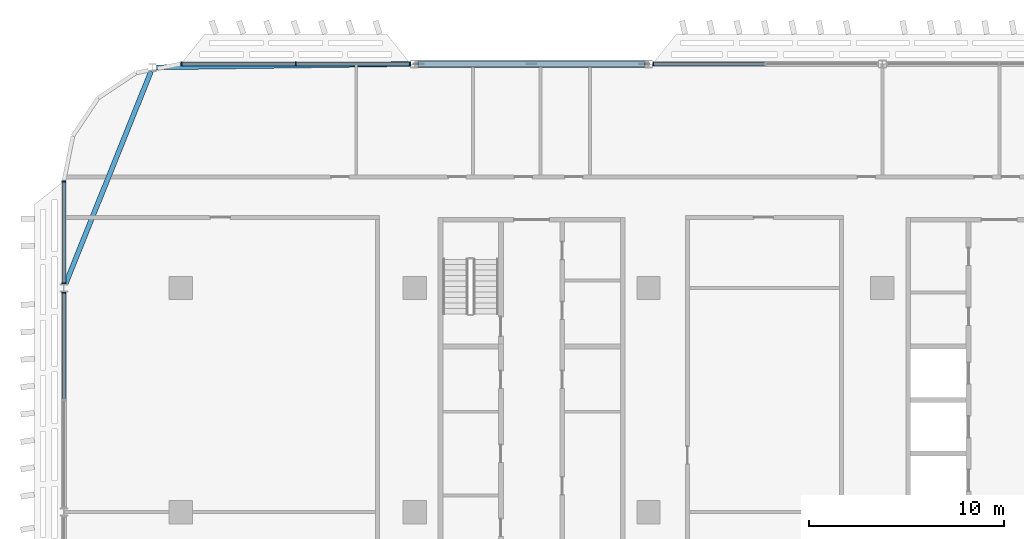
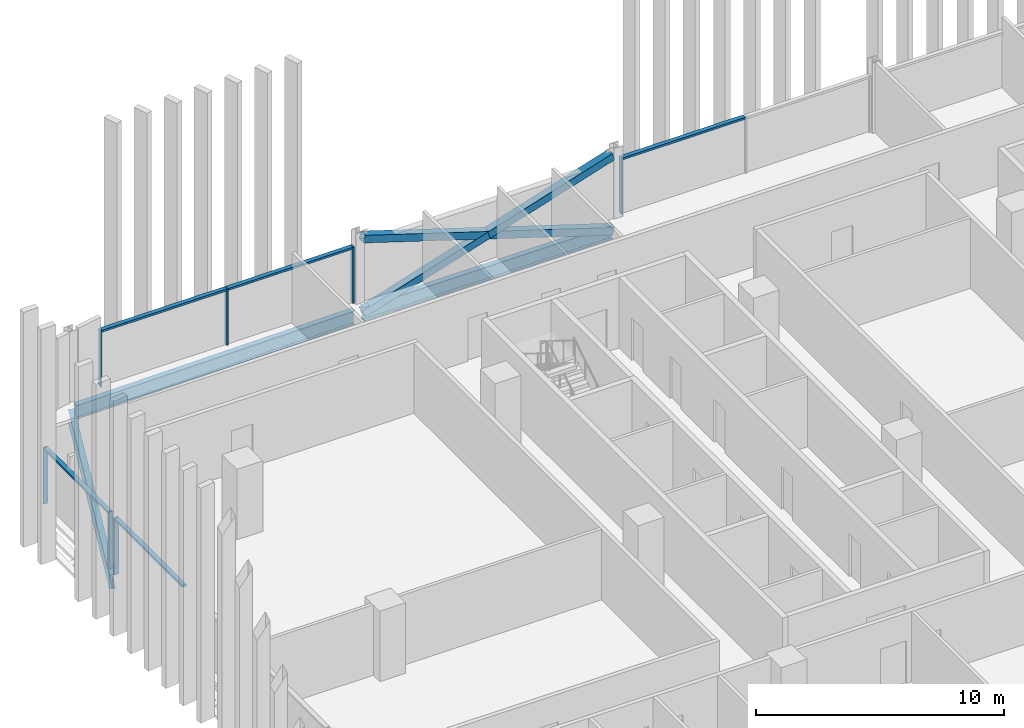
# One storey, part 6 of 28: 15 members, 3 beams, 4 elements without a shape of their own.
"""IFC4 building model written with IfcOpenShell, lengths in metres."""

import ifcopenshell
import ifcopenshell.guid

model = None  # the IFC model being written
_history = None  # IfcOwnerHistory: only IFC2X3 demands one
_inside = {}  # id of a spatial element -> (the spatial element, [elements in it])
_under = {}  # id of a project, library or spatial element -> (it, [spatial elements below it])
_declared = {}  # id of a project -> (the project, [libraries it declares])
_typed = {}  # id of a type object -> (the type object, [elements of that type])
_made_of = {}  # id of a material, layer set ... -> (it, [elements and type objects made of it])


def new_model(schema):
    """Start an empty IFC model of exactly this schema.

    Asked for "IFC4X3", IfcOpenShell would pick the latest addendum, in which some entities
    have other attributes; the version numbers below select the first issue.
    IFC2X3 requires an IfcOwnerHistory on every rooted entity: one is made here for all.
    """
    global model, _history
    if schema == "IFC4X3":
        model = ifcopenshell.file(schema_version=(4, 3, 0, 0))
    else:
        model = ifcopenshell.file(schema=schema)
    _inside.clear()
    _under.clear()
    _declared.clear()
    _typed.clear()
    _made_of.clear()
    _history = None
    if model.schema == "IFC2X3":
        org = make("IfcOrganization", Name="unknown")
        user = make(
            "IfcPersonAndOrganization",
            ThePerson=make("IfcPerson", FamilyName="unknown"),
            TheOrganization=org,
        )
        app = make(
            "IfcApplication",
            ApplicationDeveloper=org,
            Version="unknown",
            ApplicationFullName="unknown",
            ApplicationIdentifier="unknown",
        )
        _history = make(
            "IfcOwnerHistory",
            OwningUser=user,
            OwningApplication=app,
            ChangeAction="ADDED",
            CreationDate=0,
        )
    return model


def make(cls, **values):
    """One entity of the class cls with the attributes given. An attribute that is None is left unset."""
    return model.create_entity(
        cls, **{name: value for name, value in values.items() if value is not None}
    )


def rooted(cls, **values):
    """An entity with a GlobalId (a new one), such as an element, a storey or a relation."""
    return make(cls, GlobalId=ifcopenshell.guid.new(), OwnerHistory=_history, **values)


def si_unit(unit_type, name, prefix=None):
    """IfcSIUnit, for example si_unit("LENGTHUNIT", "METRE", prefix="MILLI")."""
    return make("IfcSIUnit", UnitType=unit_type, Prefix=prefix, Name=name)


def assignment(units):
    """IfcUnitAssignment: the units of a project."""
    return None if units is None else make("IfcUnitAssignment", Units=units)


def point(xyz):
    """IfcCartesianPoint."""
    return None if xyz is None else make("IfcCartesianPoint", Coordinates=xyz)


def direction(xyz):
    """IfcDirection."""
    return None if xyz is None else make("IfcDirection", DirectionRatios=xyz)


def frame(location, z_axis=None, x_axis=None):
    """IfcAxis2Placement3D, a coordinate frame: its origin and axes. An axis left out is left unset."""
    return make(
        "IfcAxis2Placement3D",
        Location=point(location),
        Axis=direction(z_axis),
        RefDirection=direction(x_axis),
    )


def frame_2d(location, x_axis=None):
    """IfcAxis2Placement2D, a coordinate frame in the plane: its origin and x axis."""
    return make(
        "IfcAxis2Placement2D", Location=point(location), RefDirection=direction(x_axis)
    )


def origin():
    """The frame at (0, 0, 0) with its axes left unset."""
    return frame((0.0, 0.0, 0.0))


def origin_2d():
    """The frame at (0, 0) in the plane with its x axis left unset."""
    return frame_2d((0.0, 0.0))


def place(relative_to, where):
    """IfcLocalPlacement: puts the frame where relative to a parent placement (None: the world)."""
    return make(
        "IfcLocalPlacement", PlacementRelTo=relative_to, RelativePlacement=where
    )


def context(
    kind, dimensions, precision=None, world=None, true_north=None, identifier=None
):
    """IfcGeometricRepresentationContext, for example the 3D "Model" context."""
    return make(
        "IfcGeometricRepresentationContext",
        ContextIdentifier=identifier,
        ContextType=kind,
        CoordinateSpaceDimension=dimensions,
        Precision=precision,
        WorldCoordinateSystem=world,
        TrueNorth=true_north,
    )


def subcontext(parent, identifier, kind, view, scale=None):
    """IfcGeometricRepresentationSubContext, for example "Body" below "Model"."""
    return make(
        "IfcGeometricRepresentationSubContext",
        ContextIdentifier=identifier,
        ContextType=kind,
        ParentContext=parent,
        TargetScale=scale,
        TargetView=view,
    )


def project(units=None, contexts=None):
    """IfcProject with its units and contexts."""
    return rooted(
        "IfcProject",
        Name="project",
        RepresentationContexts=contexts,
        UnitsInContext=assignment(units),
    )


def spatial(cls, under=None, at=None, **own):
    """A site, building, storey or space (cls), placed at a placement, below another one or the project."""
    s = rooted(cls, ObjectPlacement=at, **own)
    if under is not None:
        _under.setdefault(under.id(), (under, []))[1].append(s)
    return s


def profile(cls, at=None, kind="AREA", **sizes):
    """A parametric profile (cls). Its sizes go by their IFC names, for example OverallWidth=200.0."""
    return make(cls, ProfileType=kind, Position=at, **sizes)


def rectangle(**sizes):
    """IfcRectangleProfileDef."""
    return profile("IfcRectangleProfileDef", **sizes)


def hollow_rectangle(**sizes):
    """IfcRectangleHollowProfileDef."""
    return profile("IfcRectangleHollowProfileDef", **sizes)


def i_section(**sizes):
    """IfcIShapeProfileDef."""
    return profile("IfcIShapeProfileDef", **sizes)


def extrude(swept, where, along, depth):
    """IfcExtrudedAreaSolid: the profile swept, set in the frame where, extruded along a direction by depth."""
    return make(
        "IfcExtrudedAreaSolid",
        SweptArea=swept,
        Position=where,
        ExtrudedDirection=direction(along),
        Depth=depth,
    )


def shape(context_of_items, identifier, shape_type, items):
    """IfcShapeRepresentation: the items that make up one representation, for example the "Body"."""
    return make(
        "IfcShapeRepresentation",
        ContextOfItems=context_of_items,
        RepresentationIdentifier=identifier,
        RepresentationType=shape_type,
        Items=items,
    )


def material(Name=None, Category=None):
    """IfcMaterial."""
    return make("IfcMaterial", Name=Name, Category=Category)


def material_profile(
    of_material, cross_section, Name=None, Category=None, Priority=None
):
    """IfcMaterialProfile: a cross section and its material."""
    return make(
        "IfcMaterialProfile",
        Name=Name,
        Material=of_material,
        Profile=cross_section,
        Priority=Priority,
        Category=Category,
    )


def profile_set(profiles, Name=None, composite=None):
    """IfcMaterialProfileSet."""
    return make(
        "IfcMaterialProfileSet",
        Name=Name,
        MaterialProfiles=profiles,
        CompositeProfile=composite,
    )


def made_of(thing, what):
    """Note that an element or type object is made of a material, layer set ...; save() writes the relation."""
    if what is not None:
        _made_of.setdefault(what.id(), (what, []))[1].append(thing)
    return thing


def type_object(cls, material=None, **own):
    """A type object (cls), such as IfcWallType, which elements share."""
    return made_of(rooted(cls, **own), material)


def element(
    cls,
    number,
    at=None,
    inside=None,
    cuts=None,
    type_object=None,
    material=None,
    context=None,
    identifier="Body",
    shape_type=None,
    held_by="IfcProductDefinitionShape",
    body=None,
    shapes=None,
    **own,
):
    """One element of the class cls, such as IfcWall. Its Tag is "e" and its number.

    at: its placement. inside: the storey or other place that contains it. cuts: it is an
    opening in that element (IfcRelVoidsElement). A single representation is given by context,
    identifier, shape_type and body (its items); several are given by shapes. held_by: the class
    of the entity that holds the representations. save() writes the other relations.
    """
    e = rooted(cls, Tag="e%d" % number, ObjectPlacement=at, **own)
    if body is not None:
        shapes = [shape(context, identifier, shape_type, body)]
    if shapes is not None:
        e.Representation = make(held_by, Representations=shapes)
    if inside is not None:
        _inside.setdefault(inside.id(), (inside, []))[1].append(e)
    if cuts is not None:
        rooted(
            "IfcRelVoidsElement", RelatingBuildingElement=cuts, RelatedOpeningElement=e
        )
    if type_object is not None:
        _typed.setdefault(type_object.id(), (type_object, []))[1].append(e)
    return made_of(e, material)


def aggregate(whole, parts):
    """IfcRelAggregates: a whole, such as a stair, and the parts it consists of."""
    return rooted("IfcRelAggregates", RelatingObject=whole, RelatedObjects=parts)


def save(model, path):
    """Write the relations noted so far, then the file.

    IfcRelAggregates (storeys below a building ...), IfcRelContainedInSpatialStructure (elements
    in a storey), IfcRelDefinesByType, IfcRelAssociatesMaterial and IfcRelDeclares: one each for
    every whole, place, type object, material and project.
    """
    for whole, parts in _under.values():
        aggregate(whole, parts)
    for where, things in _inside.values():
        rooted(
            "IfcRelContainedInSpatialStructure",
            RelatedElements=things,
            RelatingStructure=where,
        )
    for kind, things in _typed.values():
        rooted("IfcRelDefinesByType", RelatedObjects=things, RelatingType=kind)
    for what, things in _made_of.values():
        rooted("IfcRelAssociatesMaterial", RelatedObjects=things, RelatingMaterial=what)
    for by, libraries in _declared.values():
        rooted("IfcRelDeclares", RelatingContext=by, RelatedDefinitions=libraries)
    model.write(path)


model = new_model("IFC4")

# Units and contexts
model_context = context("Model", 3, precision=1e-05, world=origin(), true_north=direction((0.0, 1.0)))
body_context = subcontext(model_context, "Body", "Model", "MODEL_VIEW")
ifc_project = project(units=[si_unit("LENGTHUNIT", "METRE"), si_unit("AREAUNIT", "SQUARE_METRE"), si_unit("VOLUMEUNIT", "CUBIC_METRE"), si_unit("PLANEANGLEUNIT", "RADIAN"), si_unit("MASSUNIT", "GRAM", prefix="KILO")], contexts=[model_context])

# Site, building, storey
site_placement = place(None, origin())
site = spatial("IfcSite", under=ifc_project, at=site_placement, CompositionType="ELEMENT")
building_placement = place(site_placement, origin())
building = spatial("IfcBuilding", under=site, at=building_placement, Name="Mahtab Terrace Research Tower", CompositionType="ELEMENT")
storey_placement = place(building_placement, frame((0.0, 0.0, 174.39990234375)))
storey = spatial("IfcBuildingStorey", under=building, at=storey_placement, Name="L41", CompositionType="ELEMENT", Elevation=174.39990234375)

# Members
ifc_material_1 = material(Name="Steel ASTM A500 Gr C", Category="steel")
ifc_material_profile_1 = material_profile(ifc_material_1, hollow_rectangle(XDim=0.355712890625, YDim=0.355712890625, WallThickness=0.015869140625, at=origin_2d()), Name="HSS14X14X5/8")
ifc_profile_set_1 = profile_set([ifc_material_profile_1], Name="Steel ASTM A500 Gr C")
member_type_1 = type_object("IfcMemberType", Name="HSS 14x14x5/8 brace XB141458", PredefinedType="BRACE", material=ifc_profile_set_1)
member_1_placement = place(storey_placement, frame((-18.203125, 23.0, -0.61474609375), z_axis=(-0.953341454971, 0.0, 0.301894137463), x_axis=(0.0, -1.0, 0.0)))
element("IfcMember", 1, at=member_1_placement, inside=storey, type_object=member_type_1, Name="Exoskeleton brace L41 06 a", PredefinedType="BRACE", context=body_context, shape_type="SweptSolid", body=[
    extrude(hollow_rectangle(XDim=0.355712890625, YDim=0.355712890625, WallThickness=0.015869140625, at=origin_2d()), origin(), (0.0, 0.0, 1.0), 12.1611328125),
])
for number, where, z_axis, x_axis, name in (
    (2, (-29.796875, 23.0, -0.61474609375), (0.953341454971, 0.0, 0.301894137463), (0.0, 1.0, 0.0), "Exoskeleton brace L41 06 b1"),
    (3, (-24.0, 23.0, 1.220947265625), (0.953341454971, 0.0, 0.301894137463), (0.0, 1.0, 0.0), "Exoskeleton brace L41 06 b2"),
):
    element("IfcMember", number, at=place(storey_placement, frame(where, z_axis=z_axis, x_axis=x_axis)), inside=storey, type_object=member_type_1, Name=name, PredefinedType="BRACE", context=body_context, shape_type="SweptSolid", body=[
        extrude(hollow_rectangle(XDim=0.355712890625, YDim=0.355712890625, WallThickness=0.015869140625, at=origin_2d()), origin(), (0.0, 0.0, 1.0), 6.08056640625),
    ])

# Curtain wall, member
ifc_material_2 = material(Name="Laboratory ribbon curtain wall")
curtain_wall_type = type_object("IfcCurtainWallType", Name="Laboratory ribbon curtain wall", PredefinedType="NOTDEFINED", material=ifc_material_2)
curtain_wall_1_placement = place(storey_placement, origin())
curtain_wall_1 = element("IfcCurtainWall", 4, at=curtain_wall_1_placement, inside=storey, type_object=curtain_wall_type, Name="EN.L41.3.7", PredefinedType="NOTDEFINED")
ifc_material_3 = material(Name="Natural anodised aluminium", Category="aluminium")
ifc_material_profile_2 = material_profile(ifc_material_3, rectangle(XDim=0.199951171875, YDim=0.06494140625, at=origin_2d()), Name="MULLION 65x200")
ifc_profile_set_2 = profile_set([ifc_material_profile_2], Name="Natural anodised aluminium")
member_type_2 = type_object("IfcMemberType", Name="Laboratory ribbon curtain wall mullion", PredefinedType="MULLION", material=ifc_profile_set_2)
member_2_placement = place(storey_placement, frame((-17.759521484375, 23.0, 0.0), z_axis=(0.0, 0.0, 1.0), x_axis=(0.0, -1.0, 0.0)))
member_2 = element("IfcMember", 5, at=member_2_placement, type_object=member_type_2, Name="CWL-5 mullion 3", PredefinedType="MULLION", context=body_context, shape_type="SweptSolid", body=[
    extrude(rectangle(XDim=0.199951171875, YDim=0.06494140625, at=origin_2d()), origin(), (0.0, 0.0, 1.0), 2.781982421875),
])

# Curtain wall, members
curtain_wall_2_placement = place(storey_placement, origin())
curtain_wall_2 = element("IfcCurtainWall", 6, at=curtain_wall_2_placement, inside=storey, type_object=curtain_wall_type, Name="EN.L41.3.9", PredefinedType="NOTDEFINED")
member_3_placement = place(storey_placement, frame((-30.240478515625, 23.0, 0.0), z_axis=(0.0, 0.0, 1.0), x_axis=(0.0, -1.0, 0.0)))
member_3 = element("IfcMember", 7, at=member_3_placement, type_object=member_type_2, Name="CWL-5 mullion 1", PredefinedType="MULLION", context=body_context, shape_type="SweptSolid", body=[
    extrude(rectangle(XDim=0.199951171875, YDim=0.06494140625, at=origin_2d()), origin(), (0.0, 0.0, 1.0), 2.781982421875),
])
member_4_placement = place(storey_placement, frame((-36.10400390625, 23.0, 0.0), z_axis=(0.0, 0.0, 1.0), x_axis=(0.0, -1.0, 0.0)))
member_4 = element("IfcMember", 8, at=member_4_placement, type_object=member_type_2, Name="CWL-5 mullion 2", PredefinedType="MULLION", context=body_context, shape_type="SweptSolid", body=[
    extrude(rectangle(XDim=0.199951171875, YDim=0.06494140625, at=origin_2d()), origin(), (0.0, 0.0, 1.0), 2.781982421875),
])
member_5_placement = place(storey_placement, frame((-41.967529296875, 23.0, 0.0), z_axis=(0.0, 0.0, 1.0), x_axis=(0.0, -1.0, 0.0)))
member_5 = element("IfcMember", 9, at=member_5_placement, type_object=member_type_2, Name="CWL-5 mullion 3", PredefinedType="MULLION", context=body_context, shape_type="SweptSolid", body=[
    extrude(rectangle(XDim=0.199951171875, YDim=0.06494140625, at=origin_2d()), origin(), (0.0, 0.0, 1.0), 2.781982421875),
])

curtain_wall_3_placement = place(storey_placement, origin())
curtain_wall_3 = element("IfcCurtainWall", 10, at=curtain_wall_3_placement, inside=storey, type_object=curtain_wall_type, Name="EN.L41.8.15", PredefinedType="NOTDEFINED")
member_6_placement = place(storey_placement, frame((-48.0, 16.967529296875, 0.0), z_axis=(0.0, 0.0, 1.0), x_axis=(1.0, 0.0, 0.0)))
member_6 = element("IfcMember", 11, at=member_6_placement, type_object=member_type_2, Name="CWL-5 mullion 1", PredefinedType="MULLION", context=body_context, shape_type="SweptSolid", body=[
    extrude(rectangle(XDim=0.199951171875, YDim=0.06494140625, at=origin_2d()), origin(), (0.0, 0.0, 1.0), 2.781982421875),
])
member_7_placement = place(storey_placement, frame((-48.0, 11.740478515625, 0.0), z_axis=(0.0, 0.0, 1.0), x_axis=(1.0, 0.0, 0.0)))
member_7 = element("IfcMember", 12, at=member_7_placement, type_object=member_type_2, Name="CWL-5 mullion 2", PredefinedType="MULLION", context=body_context, shape_type="SweptSolid", body=[
    extrude(rectangle(XDim=0.199951171875, YDim=0.06494140625, at=origin_2d()), origin(), (0.0, 0.0, 1.0), 2.781982421875),
])

# Curtain wall, member
curtain_wall_4_placement = place(storey_placement, origin())
curtain_wall_4 = element("IfcCurtainWall", 13, at=curtain_wall_4_placement, inside=storey, type_object=curtain_wall_type, Name="EN.L41.8.16", PredefinedType="NOTDEFINED")
member_8_placement = place(storey_placement, frame((-48.0, 11.259521484375, 0.0), z_axis=(0.0, 0.0, 1.0), x_axis=(1.0, 0.0, 0.0)))
member_8 = element("IfcMember", 14, at=member_8_placement, type_object=member_type_2, Name="CWL-5 mullion 1", PredefinedType="MULLION", context=body_context, shape_type="SweptSolid", body=[
    extrude(rectangle(XDim=0.199951171875, YDim=0.06494140625, at=origin_2d()), origin(), (0.0, 0.0, 1.0), 2.781982421875),
])

# Member
ifc_material_profile_3 = material_profile(ifc_material_3, rectangle(XDim=0.199951171875, YDim=0.10009765625, at=origin_2d()), Name="TRANSOM 100x200")
ifc_profile_set_3 = profile_set([ifc_material_profile_3], Name="Natural anodised aluminium")
member_type_3 = type_object("IfcMemberType", Name="Laboratory ribbon curtain wall transom", PredefinedType="USERDEFINED", material=ifc_profile_set_3)
member_9_placement = place(storey_placement, frame((-12.032470703125, 23.0, 2.73193359375), z_axis=(-1.0, 0.0, 0.0), x_axis=(0.0, -1.0, 0.0)))
member_9 = element("IfcMember", 15, at=member_9_placement, type_object=member_type_3, Name="CWL-5 transom 2", ObjectType="TRANSOM", PredefinedType="USERDEFINED", context=body_context, shape_type="SweptSolid", body=[
    extrude(rectangle(XDim=0.199951171875, YDim=0.10009765625, at=origin_2d()), origin(), (0.0, 0.0, 1.0), 5.694580078125),
])

aggregate(curtain_wall_1, [member_2, member_9])

member_10_placement = place(storey_placement, frame((-30.27294921875, 23.0, 2.73193359375), z_axis=(-1.0, 0.0, 0.0), x_axis=(0.0, -1.0, 0.0)))
member_10 = element("IfcMember", 16, at=member_10_placement, type_object=member_type_3, Name="CWL-5 transom 1", ObjectType="TRANSOM", PredefinedType="USERDEFINED", context=body_context, shape_type="SweptSolid", body=[
    extrude(rectangle(XDim=0.199951171875, YDim=0.10009765625, at=origin_2d()), origin(), (0.0, 0.0, 1.0), 5.798583984375),
])

member_11_placement = place(storey_placement, frame((-36.136474609375, 23.0, 2.73193359375), z_axis=(-1.0, 0.0, 0.0), x_axis=(0.0, -1.0, 0.0)))
member_11 = element("IfcMember", 17, at=member_11_placement, type_object=member_type_3, Name="CWL-5 transom 2", ObjectType="TRANSOM", PredefinedType="USERDEFINED", context=body_context, shape_type="SweptSolid", body=[
    extrude(rectangle(XDim=0.199951171875, YDim=0.10009765625, at=origin_2d()), origin(), (0.0, 0.0, 1.0), 5.798583984375),
])

aggregate(curtain_wall_2, [member_3, member_4, member_5, member_10, member_11])

member_12_placement = place(storey_placement, frame((-48.0, 16.93505859375, 2.73193359375), z_axis=(0.0, -1.0, 0.0), x_axis=(1.0, 0.0, 0.0)))
member_12 = element("IfcMember", 18, at=member_12_placement, type_object=member_type_3, Name="CWL-5 transom 1", ObjectType="TRANSOM", PredefinedType="USERDEFINED", context=body_context, shape_type="SweptSolid", body=[
    extrude(rectangle(XDim=0.199951171875, YDim=0.10009765625, at=origin_2d()), origin(), (0.0, 0.0, 1.0), 5.162109375),
])

aggregate(curtain_wall_3, [member_6, member_7, member_12])

member_13_placement = place(storey_placement, frame((-48.0, 11.22705078125, 2.73193359375), z_axis=(0.0, -1.0, 0.0), x_axis=(1.0, 0.0, 0.0)))
member_13 = element("IfcMember", 19, at=member_13_placement, type_object=member_type_3, Name="CWL-5 transom 1", ObjectType="TRANSOM", PredefinedType="USERDEFINED", context=body_context, shape_type="SweptSolid", body=[
    extrude(rectangle(XDim=0.199951171875, YDim=0.10009765625, at=origin_2d()), origin(), (0.0, 0.0, 1.0), 5.444580078125),
])

aggregate(curtain_wall_4, [member_8, member_13])

# Beams
ifc_material_4 = material(Name="Steel ASTM A992 Gr 50", Category="steel")
ifc_material_profile_4 = material_profile(ifc_material_4, i_section(OverallWidth=0.25390625, OverallDepth=0.67822265625, WebThickness=0.01171875, FlangeThickness=0.016357421875, at=origin_2d()), Name="W27X84")
ifc_profile_set_4 = profile_set([ifc_material_profile_4], Name="Steel ASTM A992 Gr 50")
beam_type = type_object("IfcBeamType", Name="W27x84 beam BS2784", PredefinedType="BEAM", material=ifc_profile_set_4)
beam_1_placement = place(storey_placement, frame((-18.203125, 23.0, -0.678955078125), z_axis=(-1.0, 0.0, 0.0), x_axis=(0.0, -1.0, 0.0)))
element("IfcBeam", 20, at=beam_1_placement, inside=storey, type_object=beam_type, Name="Spandrel beam L41 06", PredefinedType="BEAM", context=body_context, shape_type="SweptSolid", body=[
    extrude(i_section(OverallWidth=0.25390625, OverallDepth=0.67822265625, WebThickness=0.01171875, FlangeThickness=0.016357421875, at=origin_2d()), origin(), (0.0, 0.0, 1.0), 11.59375),
])
beam_2_placement = place(storey_placement, frame((-30.203125, 22.997314453125, -0.678955078125), z_axis=(-0.999912429007, -0.013233832294, 0.0), x_axis=(0.013233832294, -0.999912429007, 0.0)))
element("IfcBeam", 21, at=beam_2_placement, inside=storey, type_object=beam_type, Name="Spandrel beam L41 07", PredefinedType="BEAM", context=body_context, shape_type="SweptSolid", body=[
    extrude(i_section(OverallWidth=0.25390625, OverallDepth=0.67822265625, WebThickness=0.01171875, FlangeThickness=0.016357421875, at=origin_2d()), origin(), (0.0, 0.0, 1.0), 13.04296875),
])
beam_3_placement = place(storey_placement, frame((-43.53173828125, 22.61376953125, -0.678955078125), z_axis=(-0.373026712357, -0.927820603278, 0.0), x_axis=(0.927820603278, -0.373026712357, 0.0)))
element("IfcBeam", 22, at=beam_3_placement, inside=storey, type_object=beam_type, Name="Spandrel beam L41 08", PredefinedType="BEAM", context=body_context, shape_type="SweptSolid", body=[
    extrude(i_section(OverallWidth=0.25390625, OverallDepth=0.67822265625, WebThickness=0.01171875, FlangeThickness=0.016357421875, at=origin_2d()), origin(), (0.0, 0.0, 1.0), 11.75390625),
])

save(model, "model.ifc")
